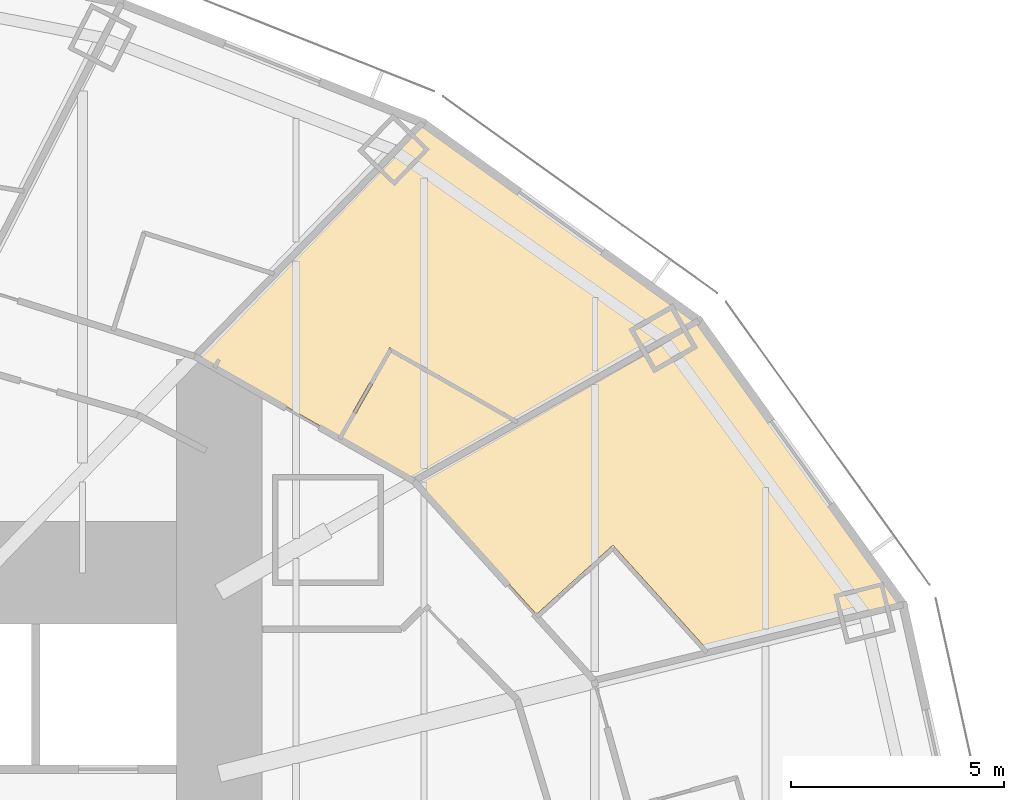
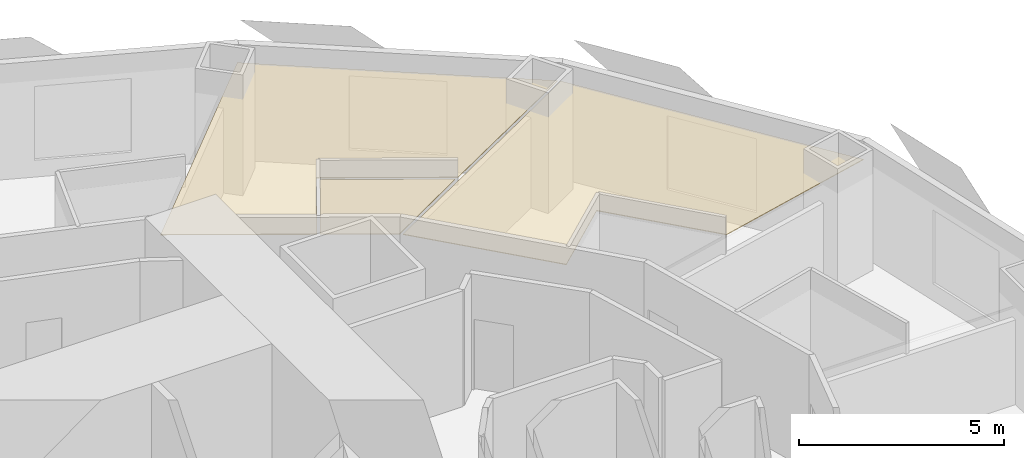
# One storey, part 17 of 17: 3 coverings.
"""IFC4 building model written with IfcOpenShell, lengths in metres."""

from ifc_helpers import new_model, si_unit, direction, frame, origin, place, context, subcontext, project, spatial, polyline, outline, extrude, material, layer, layer_set, type_object, element, save


model = new_model("IFC4")

# Units and contexts
model_context = context("Model", 3, precision=1e-05, world=origin(), true_north=direction((0.0, 1.0)))
body_context = subcontext(model_context, "Body", "Model", "MODEL_VIEW")
ifc_project = project(units=[si_unit("LENGTHUNIT", "METRE"), si_unit("AREAUNIT", "SQUARE_METRE"), si_unit("VOLUMEUNIT", "CUBIC_METRE"), si_unit("PLANEANGLEUNIT", "RADIAN"), si_unit("MASSUNIT", "GRAM", prefix="KILO")], contexts=[model_context])

# Site, building, storey
site_placement = place(None, origin())
site = spatial("IfcSite", under=ifc_project, at=site_placement, CompositionType="ELEMENT")
building_placement = place(site_placement, origin())
building = spatial("IfcBuilding", under=site, at=building_placement, Name="Lantaw Convention Tower", CompositionType="ELEMENT")
storey_placement = place(building_placement, frame((0.0, 0.0, 40.60009765625)))
storey = spatial("IfcBuildingStorey", under=building, at=storey_placement, Name="L07", CompositionType="ELEMENT", Elevation=40.60009765625)

# Coverings
ifc_material = material(Name="Gypsum board on steel suspension grid", Category="steel")
ifc_layer = layer(ifc_material, 0.02001953125)
ifc_layer_set = layer_set([ifc_layer], Name="Suspended ceiling")
covering_type = type_object("IfcCoveringType", Name="Suspended ceiling", PredefinedType="CEILING", material=ifc_layer_set)
covering_1_placement = place(storey_placement, frame((0.0, 0.0, 2.849853515625)))
element("IfcCovering", 1, at=covering_1_placement, inside=storey, type_object=covering_type, Name="Guest room ceiling", PredefinedType="CEILING", context=body_context, shape_type="SweptSolid", body=[
    extrude(outline(polyline([(24.423095703125, 13.8564453125), (17.82470703125, 10.13916015625), (20.635498046875, 7.02978515625), (22.4248046875, 8.647216796875), (24.65771484375, 6.17724609375), (29.155029296875, 7.2783203125), (24.423095703125, 13.8564453125)])), origin(), (0.0, 0.0, 1.0), 0.02001953125),
])
covering_2_placement = place(storey_placement, frame((0.0, 0.0, 2.849853515625)))
element("IfcCovering", 2, at=covering_2_placement, inside=storey, type_object=covering_type, Name="Guest bathroom ceiling", PredefinedType="CEILING", context=body_context, shape_type="SweptSolid", body=[
    extrude(outline(polyline([(17.76123046875, 10.1953125), (20.101806640625, 11.53271484375), (17.2255859375, 13.169921875), (16.077880859375, 11.15380859375), (17.76123046875, 10.1953125)])), origin(), (0.0, 0.0, 1.0), 0.02001953125),
])
covering_3_placement = place(storey_placement, frame((0.0, 0.0, 2.849853515625)))
element("IfcCovering", 3, at=covering_3_placement, inside=storey, type_object=covering_type, Name="Guest room ceiling", PredefinedType="CEILING", context=body_context, shape_type="SweptSolid", body=[
    extrude(outline(polyline([(12.689697265625, 13.08251953125), (16.00830078125, 11.193359375), (17.195556640625, 13.279052734375), (20.19970703125, 11.56884765625), (24.3603515625, 13.912841796875), (17.97509765625, 18.4892578125), (12.689697265625, 13.08251953125)])), origin(), (0.0, 0.0, 1.0), 0.02001953125),
])

save(model, "model.ifc")
